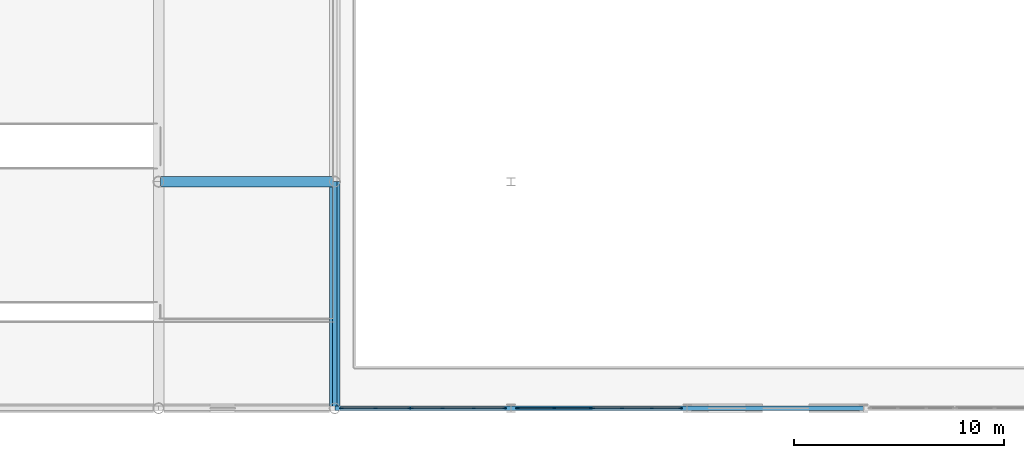
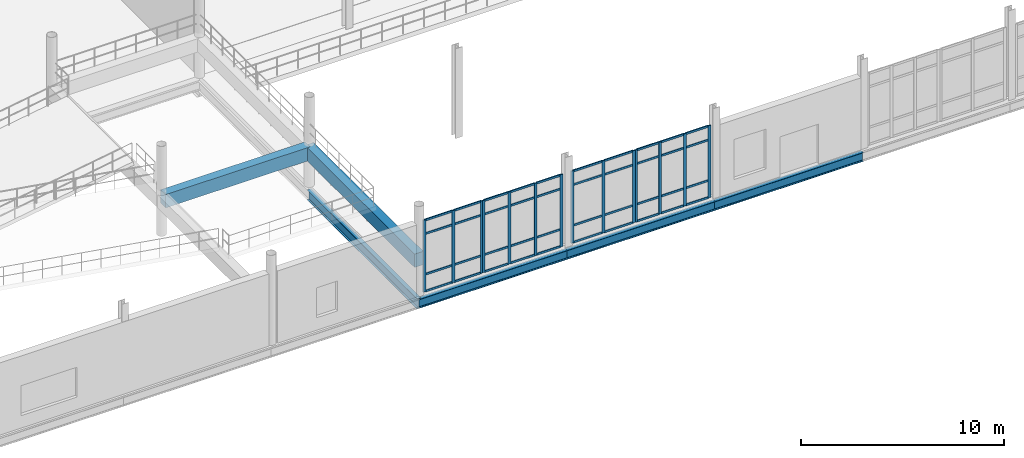
# One storey, part 25 of 111: 54 members, 6 beams, 4 elements without a shape of their own.
"""IFC4 building model written with IfcOpenShell, lengths in metres."""

from ifc_helpers import new_model, si_unit, direction, frame, origin, origin_2d, place, context, subcontext, project, spatial, rectangle, i_section, extrude, material, layer, layer_set, material_profile, profile_set, type_object, element, aggregate, save


model = new_model("IFC4")

# Units and contexts
model_context = context("Model", 3, precision=1e-05, world=origin(), true_north=direction((0.0, 1.0)))
body_context = subcontext(model_context, "Body", "Model", "MODEL_VIEW")
ifc_project = project(units=[si_unit("LENGTHUNIT", "METRE"), si_unit("AREAUNIT", "SQUARE_METRE"), si_unit("VOLUMEUNIT", "CUBIC_METRE"), si_unit("PLANEANGLEUNIT", "RADIAN"), si_unit("MASSUNIT", "GRAM", prefix="KILO"), si_unit("THERMODYNAMICTEMPERATUREUNIT", "KELVIN"), si_unit("POWERUNIT", "WATT")], contexts=[model_context])

# Site, building, storey
site_placement = place(None, origin())
site = spatial("IfcSite", under=ifc_project, at=site_placement, CompositionType="ELEMENT")
building_placement = place(site_placement, origin())
building = spatial("IfcBuilding", under=site, at=building_placement, Name="Tembeka Court Mobility Hub", CompositionType="ELEMENT")
storey_placement = place(building_placement, origin())
storey = spatial("IfcBuildingStorey", under=building, at=storey_placement, Name="L00", CompositionType="ELEMENT", Elevation=0.0)

# Beams
ifc_material_1 = material(Name="Concrete C40/50", Category="concrete")
ifc_material_profile_1 = material_profile(ifc_material_1, rectangle(XDim=0.5, YDim=0.800048828125, at=origin_2d()), Name="RC-BM 500x800")
ifc_profile_set_1 = profile_set([ifc_material_profile_1], Name="Concrete C40/50")
beam_type_1 = type_object("IfcBeamType", Name="BM-B05", PredefinedType="BEAM", material=ifc_profile_set_1)
beam_1_placement = place(storey_placement, frame((33.695068359375, 10.800048828125, 2.050048828125), z_axis=(1.0, 0.0, 0.0), x_axis=(0.0, 1.0, 0.0)))
element("IfcBeam", 1, at=beam_1_placement, inside=storey, type_object=beam_type_1, Name="Car park vehicle ramp South R2 L00 half-landing tie beam EX2", PredefinedType="BEAM", context=body_context, shape_type="SweptSolid", body=[
    extrude(rectangle(XDim=0.5, YDim=0.800048828125, at=origin_2d()), origin(), (0.0, 0.0, 1.0), 8.2099609375),
])
beam_2_placement = place(storey_placement, frame((42.0, 0.0, 2.050048828125), z_axis=(0.0, 1.0, 0.0), x_axis=(-1.0, 0.0, 0.0)))
element("IfcBeam", 2, at=beam_2_placement, inside=storey, type_object=beam_type_1, Name="Car park vehicle ramp South R2 L00 half-landing beam EE1", PredefinedType="BEAM", context=body_context, shape_type="SweptSolid", body=[
    extrude(rectangle(XDim=0.5, YDim=0.800048828125, at=origin_2d()), origin(), (0.0, 0.0, 1.0), 10.800048828125),
])
ifc_material_2 = material(Name="Steel S355", Category="steel")
ifc_material_profile_2 = material_profile(ifc_material_2, i_section(OverallWidth=0.22900390625, OverallDepth=0.612060546875, WebThickness=0.011962890625, FlangeThickness=0.01953125, FilletRadius=0.0126953125, at=origin_2d()), Name="UKB 610x229x125")
ifc_profile_set_2 = profile_set([ifc_material_profile_2], Name="Steel S355")
beam_type_2 = type_object("IfcBeamType", Name="BM-G02", PredefinedType="USERDEFINED", material=ifc_profile_set_2)
beam_3_placement = place(storey_placement, frame((42.0, 0.0, -0.5859375), z_axis=(0.0, 1.0, 0.0), x_axis=(-1.0, 0.0, 0.0)))
element("IfcBeam", 3, at=beam_3_placement, inside=storey, type_object=beam_type_2, Name="Beam G02 (BM-L00-Y0210)", ObjectType="GIRDER", PredefinedType="USERDEFINED", context=body_context, shape_type="SweptSolid", body=[
    extrude(i_section(OverallWidth=0.22900390625, OverallDepth=0.612060546875, WebThickness=0.011962890625, FlangeThickness=0.01953125, FilletRadius=0.0126953125, at=origin_2d()), origin(), (0.0, 0.0, 1.0), 10.800048828125),
])
ifc_material_profile_3 = material_profile(ifc_material_2, i_section(OverallWidth=0.2099609375, OverallDepth=0.537109375, WebThickness=0.0107421875, FlangeThickness=0.017333984375, FilletRadius=0.0126953125, at=origin_2d()), Name="UKB 533x210x101")
ifc_profile_set_3 = profile_set([ifc_material_profile_3], Name="Steel S355")
beam_type_3 = type_object("IfcBeamType", Name="BM-G03", PredefinedType="USERDEFINED", material=ifc_profile_set_3)
beam_4_placement = place(storey_placement, frame((42.0, 0.0, -0.548583984375), z_axis=(1.0, 0.0, 0.0), x_axis=(0.0, 1.0, 0.0)))
element("IfcBeam", 4, at=beam_4_placement, inside=storey, type_object=beam_type_3, Name="Beam G03 (BM-L00-X0005)", ObjectType="GIRDER", PredefinedType="USERDEFINED", context=body_context, shape_type="SweptSolid", body=[
    extrude(i_section(OverallWidth=0.2099609375, OverallDepth=0.537109375, WebThickness=0.0107421875, FlangeThickness=0.017333984375, FilletRadius=0.0126953125, at=origin_2d()), origin(), (0.0, 0.0, 1.0), 8.39990234375),
])
beam_5_placement = place(storey_placement, frame((50.39990234375, 0.0, -0.548583984375), z_axis=(1.0, 0.0, 0.0), x_axis=(0.0, 1.0, 0.0)))
element("IfcBeam", 5, at=beam_5_placement, inside=storey, type_object=beam_type_3, Name="Beam G03 (BM-L00-X0006)", ObjectType="GIRDER", PredefinedType="USERDEFINED", context=body_context, shape_type="SweptSolid", body=[
    extrude(i_section(OverallWidth=0.2099609375, OverallDepth=0.537109375, WebThickness=0.0107421875, FlangeThickness=0.017333984375, FilletRadius=0.0126953125, at=origin_2d()), origin(), (0.0, 0.0, 1.0), 8.400146484375),
])
beam_6_placement = place(storey_placement, frame((58.800048828125, 0.0, -0.548583984375), z_axis=(1.0, 0.0, 0.0), x_axis=(0.0, 1.0, 0.0)))
element("IfcBeam", 6, at=beam_6_placement, inside=storey, type_object=beam_type_3, Name="Beam G03 (BM-L00-X0007)", ObjectType="GIRDER", PredefinedType="USERDEFINED", context=body_context, shape_type="SweptSolid", body=[
    extrude(i_section(OverallWidth=0.2099609375, OverallDepth=0.537109375, WebThickness=0.0107421875, FlangeThickness=0.017333984375, FilletRadius=0.0126953125, at=origin_2d()), origin(), (0.0, 0.0, 1.0), 8.39990234375),
])

# Curtain wall, members
ifc_material_3 = material(Name="Anodised aluminium 6063-T6", Category="aluminium")
ifc_layer_1 = layer(ifc_material_3, 0.159912109375)
ifc_layer_set_1 = layer_set([ifc_layer_1], Name="Anodised aluminium 6063-T6")
curtain_wall_type_1 = type_object("IfcCurtainWallType", Name="CW-SYS02", PredefinedType="USERDEFINED", material=ifc_layer_set_1)
curtain_wall_1_placement = place(storey_placement, origin())
curtain_wall_1 = element("IfcCurtainWall", 7, at=curtain_wall_1_placement, inside=storey, type_object=curtain_wall_type_1, Name="Unitised curtain wall CW02 (CW-L00-002)", ObjectType="UNITISED GLAZING", PredefinedType="USERDEFINED")
ifc_material_profile_4 = material_profile(ifc_material_3, rectangle(XDim=0.06494140625, YDim=0.159912109375, at=origin_2d()), Name="ALU-MUL 65x160")
ifc_profile_set_4 = profile_set([ifc_material_profile_4], Name="Anodised aluminium 6063-T6")
member_type_1 = type_object("IfcMemberType", Name="CW-MUL01", PredefinedType="MULLION", material=ifc_profile_set_4)
member_1_placement = place(storey_placement, frame((42.3125, 0.0, 0.0), z_axis=(0.0, 0.0, 1.0), x_axis=(0.0, 1.0, 0.0)))
member_1 = element("IfcMember", 8, at=member_1_placement, type_object=member_type_1, Name="CW02 mullion 1", PredefinedType="MULLION", context=body_context, shape_type="SweptSolid", body=[
    extrude(rectangle(XDim=0.06494140625, YDim=0.159912109375, at=origin_2d()), origin(), (0.0, 0.0, 1.0), 4.3349609375),
])
member_2_placement = place(storey_placement, frame((43.93603515625, 0.0, 0.0), z_axis=(0.0, 0.0, 1.0), x_axis=(0.0, 1.0, 0.0)))
member_2 = element("IfcMember", 9, at=member_2_placement, type_object=member_type_1, Name="CW02 mullion 2", PredefinedType="MULLION", context=body_context, shape_type="SweptSolid", body=[
    extrude(rectangle(XDim=0.06494140625, YDim=0.159912109375, at=origin_2d()), origin(), (0.0, 0.0, 1.0), 4.3349609375),
])
member_3_placement = place(storey_placement, frame((45.5595703125, 0.0, 0.0), z_axis=(0.0, 0.0, 1.0), x_axis=(0.0, 1.0, 0.0)))
member_3 = element("IfcMember", 10, at=member_3_placement, type_object=member_type_1, Name="CW02 mullion 3", PredefinedType="MULLION", context=body_context, shape_type="SweptSolid", body=[
    extrude(rectangle(XDim=0.06494140625, YDim=0.159912109375, at=origin_2d()), origin(), (0.0, 0.0, 1.0), 4.3349609375),
])

ifc_layer_2 = layer(ifc_material_3, 0.159912109375)
ifc_layer_set_2 = layer_set([ifc_layer_2], Name="Anodised aluminium 6063-T6")
curtain_wall_type_2 = type_object("IfcCurtainWallType", Name="CW-SYS03", PredefinedType="USERDEFINED", material=ifc_layer_set_2)
curtain_wall_2_placement = place(storey_placement, origin())
curtain_wall_2 = element("IfcCurtainWall", 11, at=curtain_wall_2_placement, inside=storey, type_object=curtain_wall_type_2, Name="Unitised curtain wall CW03 (CW-L00-003)", ObjectType="UNITISED GLAZING", PredefinedType="USERDEFINED")
member_4_placement = place(storey_placement, frame((45.66455078125, 0.0, 0.0), z_axis=(0.0, 0.0, 1.0), x_axis=(0.0, 1.0, 0.0)))
member_4 = element("IfcMember", 12, at=member_4_placement, type_object=member_type_1, Name="CW03 mullion 1", PredefinedType="MULLION", context=body_context, shape_type="SweptSolid", body=[
    extrude(rectangle(XDim=0.06494140625, YDim=0.159912109375, at=origin_2d()), origin(), (0.0, 0.0, 1.0), 4.3349609375),
])
member_5_placement = place(storey_placement, frame((47.1279296875, 0.0, 0.0), z_axis=(0.0, 0.0, 1.0), x_axis=(0.0, 1.0, 0.0)))
member_5 = element("IfcMember", 13, at=member_5_placement, type_object=member_type_1, Name="CW03 mullion 2", PredefinedType="MULLION", context=body_context, shape_type="SweptSolid", body=[
    extrude(rectangle(XDim=0.06494140625, YDim=0.159912109375, at=origin_2d()), origin(), (0.0, 0.0, 1.0), 4.3349609375),
])
member_6_placement = place(storey_placement, frame((48.6240234375, 0.0, 0.0), z_axis=(0.0, 0.0, 1.0), x_axis=(0.0, 1.0, 0.0)))
member_6 = element("IfcMember", 14, at=member_6_placement, type_object=member_type_1, Name="CW03 mullion 3", PredefinedType="MULLION", context=body_context, shape_type="SweptSolid", body=[
    extrude(rectangle(XDim=0.06494140625, YDim=0.159912109375, at=origin_2d()), origin(), (0.0, 0.0, 1.0), 4.3349609375),
])
member_7_placement = place(storey_placement, frame((50.08740234375, 0.0, 0.0), z_axis=(0.0, 0.0, 1.0), x_axis=(0.0, 1.0, 0.0)))
member_7 = element("IfcMember", 15, at=member_7_placement, type_object=member_type_1, Name="CW03 mullion 4", PredefinedType="MULLION", context=body_context, shape_type="SweptSolid", body=[
    extrude(rectangle(XDim=0.06494140625, YDim=0.159912109375, at=origin_2d()), origin(), (0.0, 0.0, 1.0), 4.3349609375),
])

ifc_layer_3 = layer(ifc_material_3, 0.159912109375)
ifc_layer_set_3 = layer_set([ifc_layer_3], Name="Anodised aluminium 6063-T6")
curtain_wall_type_3 = type_object("IfcCurtainWallType", Name="CW-SYS04", PredefinedType="USERDEFINED", material=ifc_layer_set_3)
curtain_wall_3_placement = place(storey_placement, origin())
curtain_wall_3 = element("IfcCurtainWall", 16, at=curtain_wall_3_placement, inside=storey, type_object=curtain_wall_type_3, Name="Unitised curtain wall CW04 (CW-L00-004)", ObjectType="UNITISED GLAZING", PredefinedType="USERDEFINED")
member_8_placement = place(storey_placement, frame((50.71240234375, 0.0, 0.0), z_axis=(0.0, 0.0, 1.0), x_axis=(0.0, 1.0, 0.0)))
member_8 = element("IfcMember", 17, at=member_8_placement, type_object=member_type_1, Name="CW04 mullion 1", PredefinedType="MULLION", context=body_context, shape_type="SweptSolid", body=[
    extrude(rectangle(XDim=0.06494140625, YDim=0.159912109375, at=origin_2d()), origin(), (0.0, 0.0, 1.0), 4.3349609375),
])
member_9_placement = place(storey_placement, frame((52.4619140625, 0.0, 0.0), z_axis=(0.0, 0.0, 1.0), x_axis=(0.0, 1.0, 0.0)))
member_9 = element("IfcMember", 18, at=member_9_placement, type_object=member_type_1, Name="CW04 mullion 2", PredefinedType="MULLION", context=body_context, shape_type="SweptSolid", body=[
    extrude(rectangle(XDim=0.06494140625, YDim=0.159912109375, at=origin_2d()), origin(), (0.0, 0.0, 1.0), 4.3349609375),
])
member_10_placement = place(storey_placement, frame((54.21142578125, 0.0, 0.0), z_axis=(0.0, 0.0, 1.0), x_axis=(0.0, 1.0, 0.0)))
member_10 = element("IfcMember", 19, at=member_10_placement, type_object=member_type_1, Name="CW04 mullion 3", PredefinedType="MULLION", context=body_context, shape_type="SweptSolid", body=[
    extrude(rectangle(XDim=0.06494140625, YDim=0.159912109375, at=origin_2d()), origin(), (0.0, 0.0, 1.0), 4.3349609375),
])

ifc_layer_4 = layer(ifc_material_3, 0.159912109375)
ifc_layer_set_4 = layer_set([ifc_layer_4], Name="Anodised aluminium 6063-T6")
curtain_wall_type_4 = type_object("IfcCurtainWallType", Name="CW-SYS05", PredefinedType="USERDEFINED", material=ifc_layer_set_4)
curtain_wall_4_placement = place(storey_placement, origin())
curtain_wall_4 = element("IfcCurtainWall", 20, at=curtain_wall_4_placement, inside=storey, type_object=curtain_wall_type_4, Name="Unitised curtain wall CW05 (CW-L00-005)", ObjectType="UNITISED GLAZING", PredefinedType="USERDEFINED")
member_11_placement = place(storey_placement, frame((54.31640625, 0.0, 0.0), z_axis=(0.0, 0.0, 1.0), x_axis=(0.0, 1.0, 0.0)))
member_11 = element("IfcMember", 21, at=member_11_placement, type_object=member_type_1, Name="CW05 mullion 1", PredefinedType="MULLION", context=body_context, shape_type="SweptSolid", body=[
    extrude(rectangle(XDim=0.06494140625, YDim=0.159912109375, at=origin_2d()), origin(), (0.0, 0.0, 1.0), 4.3349609375),
])
member_12_placement = place(storey_placement, frame((55.696044921875, 0.0, 0.0), z_axis=(0.0, 0.0, 1.0), x_axis=(0.0, 1.0, 0.0)))
member_12 = element("IfcMember", 22, at=member_12_placement, type_object=member_type_1, Name="CW05 mullion 2", PredefinedType="MULLION", context=body_context, shape_type="SweptSolid", body=[
    extrude(rectangle(XDim=0.06494140625, YDim=0.159912109375, at=origin_2d()), origin(), (0.0, 0.0, 1.0), 4.3349609375),
])
member_13_placement = place(storey_placement, frame((57.10791015625, 0.0, 0.0), z_axis=(0.0, 0.0, 1.0), x_axis=(0.0, 1.0, 0.0)))
member_13 = element("IfcMember", 23, at=member_13_placement, type_object=member_type_1, Name="CW05 mullion 3", PredefinedType="MULLION", context=body_context, shape_type="SweptSolid", body=[
    extrude(rectangle(XDim=0.06494140625, YDim=0.159912109375, at=origin_2d()), origin(), (0.0, 0.0, 1.0), 4.3349609375),
])
member_14_placement = place(storey_placement, frame((58.487548828125, 0.0, 0.0), z_axis=(0.0, 0.0, 1.0), x_axis=(0.0, 1.0, 0.0)))
member_14 = element("IfcMember", 24, at=member_14_placement, type_object=member_type_1, Name="CW05 mullion 4", PredefinedType="MULLION", context=body_context, shape_type="SweptSolid", body=[
    extrude(rectangle(XDim=0.06494140625, YDim=0.159912109375, at=origin_2d()), origin(), (0.0, 0.0, 1.0), 4.3349609375),
])

# Member
ifc_material_profile_5 = material_profile(ifc_material_3, rectangle(XDim=0.06494140625, YDim=0.1201171875, at=origin_2d()), Name="ALU-TRN 65x120")
ifc_profile_set_5 = profile_set([ifc_material_profile_5], Name="Anodised aluminium 6063-T6")
member_type_2 = type_object("IfcMemberType", Name="CW-TRN01", PredefinedType="USERDEFINED", material=ifc_profile_set_5)
member_15_placement = place(storey_placement, frame((42.344970703125, 0.0, 0.032470703125), z_axis=(1.0, 0.0, 0.0), x_axis=(0.0, 1.0, 0.0)))
member_15 = element("IfcMember", 25, at=member_15_placement, type_object=member_type_2, Name="CW02 transom 1.1", ObjectType="TRANSOM", PredefinedType="USERDEFINED", context=body_context, shape_type="SweptSolid", body=[
    extrude(rectangle(XDim=0.06494140625, YDim=0.1201171875, at=origin_2d()), origin(), (0.0, 0.0, 1.0), 1.55859375),
])

member_16_placement = place(storey_placement, frame((42.344970703125, 0.0, 1.050048828125), z_axis=(1.0, 0.0, 0.0), x_axis=(0.0, 1.0, 0.0)))
member_16 = element("IfcMember", 26, at=member_16_placement, type_object=member_type_2, Name="CW02 transom 1.2", ObjectType="TRANSOM", PredefinedType="USERDEFINED", context=body_context, shape_type="SweptSolid", body=[
    extrude(rectangle(XDim=0.06494140625, YDim=0.1201171875, at=origin_2d()), origin(), (0.0, 0.0, 1.0), 1.55859375),
])

member_17_placement = place(storey_placement, frame((42.344970703125, 0.0, 3.485107421875), z_axis=(1.0, 0.0, 0.0), x_axis=(0.0, 1.0, 0.0)))
member_17 = element("IfcMember", 27, at=member_17_placement, type_object=member_type_2, Name="CW02 transom 1.3", ObjectType="TRANSOM", PredefinedType="USERDEFINED", context=body_context, shape_type="SweptSolid", body=[
    extrude(rectangle(XDim=0.06494140625, YDim=0.1201171875, at=origin_2d()), origin(), (0.0, 0.0, 1.0), 1.55859375),
])

member_18_placement = place(storey_placement, frame((42.344970703125, 0.0, 4.302490234375), z_axis=(1.0, 0.0, 0.0), x_axis=(0.0, 1.0, 0.0)))
member_18 = element("IfcMember", 28, at=member_18_placement, type_object=member_type_2, Name="CW02 transom 1.4", ObjectType="TRANSOM", PredefinedType="USERDEFINED", context=body_context, shape_type="SweptSolid", body=[
    extrude(rectangle(XDim=0.06494140625, YDim=0.1201171875, at=origin_2d()), origin(), (0.0, 0.0, 1.0), 1.55859375),
])

member_19_placement = place(storey_placement, frame((43.968505859375, 0.0, 0.032470703125), z_axis=(1.0, 0.0, 0.0), x_axis=(0.0, 1.0, 0.0)))
member_19 = element("IfcMember", 29, at=member_19_placement, type_object=member_type_2, Name="CW02 transom 2.1", ObjectType="TRANSOM", PredefinedType="USERDEFINED", context=body_context, shape_type="SweptSolid", body=[
    extrude(rectangle(XDim=0.06494140625, YDim=0.1201171875, at=origin_2d()), origin(), (0.0, 0.0, 1.0), 1.55859375),
])

member_20_placement = place(storey_placement, frame((43.968505859375, 0.0, 1.050048828125), z_axis=(1.0, 0.0, 0.0), x_axis=(0.0, 1.0, 0.0)))
member_20 = element("IfcMember", 30, at=member_20_placement, type_object=member_type_2, Name="CW02 transom 2.2", ObjectType="TRANSOM", PredefinedType="USERDEFINED", context=body_context, shape_type="SweptSolid", body=[
    extrude(rectangle(XDim=0.06494140625, YDim=0.1201171875, at=origin_2d()), origin(), (0.0, 0.0, 1.0), 1.55859375),
])

member_21_placement = place(storey_placement, frame((43.968505859375, 0.0, 3.485107421875), z_axis=(1.0, 0.0, 0.0), x_axis=(0.0, 1.0, 0.0)))
member_21 = element("IfcMember", 31, at=member_21_placement, type_object=member_type_2, Name="CW02 transom 2.3", ObjectType="TRANSOM", PredefinedType="USERDEFINED", context=body_context, shape_type="SweptSolid", body=[
    extrude(rectangle(XDim=0.06494140625, YDim=0.1201171875, at=origin_2d()), origin(), (0.0, 0.0, 1.0), 1.55859375),
])

member_22_placement = place(storey_placement, frame((43.968505859375, 0.0, 4.302490234375), z_axis=(1.0, 0.0, 0.0), x_axis=(0.0, 1.0, 0.0)))
member_22 = element("IfcMember", 32, at=member_22_placement, type_object=member_type_2, Name="CW02 transom 2.4", ObjectType="TRANSOM", PredefinedType="USERDEFINED", context=body_context, shape_type="SweptSolid", body=[
    extrude(rectangle(XDim=0.06494140625, YDim=0.1201171875, at=origin_2d()), origin(), (0.0, 0.0, 1.0), 1.55859375),
])

aggregate(curtain_wall_1, [member_1, member_2, member_3, member_15, member_16, member_17, member_18, member_19, member_20, member_21, member_22])

member_23_placement = place(storey_placement, frame((45.697021484375, 0.0, 0.032470703125), z_axis=(1.0, 0.0, 0.0), x_axis=(0.0, 1.0, 0.0)))
member_23 = element("IfcMember", 33, at=member_23_placement, type_object=member_type_2, Name="CW03 transom 1.1", ObjectType="TRANSOM", PredefinedType="USERDEFINED", context=body_context, shape_type="SweptSolid", body=[
    extrude(rectangle(XDim=0.06494140625, YDim=0.1201171875, at=origin_2d()), origin(), (0.0, 0.0, 1.0), 1.3984375),
])

member_24_placement = place(storey_placement, frame((45.697021484375, 0.0, 1.050048828125), z_axis=(1.0, 0.0, 0.0), x_axis=(0.0, 1.0, 0.0)))
member_24 = element("IfcMember", 34, at=member_24_placement, type_object=member_type_2, Name="CW03 transom 1.2", ObjectType="TRANSOM", PredefinedType="USERDEFINED", context=body_context, shape_type="SweptSolid", body=[
    extrude(rectangle(XDim=0.06494140625, YDim=0.1201171875, at=origin_2d()), origin(), (0.0, 0.0, 1.0), 1.3984375),
])

member_25_placement = place(storey_placement, frame((45.697021484375, 0.0, 3.485107421875), z_axis=(1.0, 0.0, 0.0), x_axis=(0.0, 1.0, 0.0)))
member_25 = element("IfcMember", 35, at=member_25_placement, type_object=member_type_2, Name="CW03 transom 1.3", ObjectType="TRANSOM", PredefinedType="USERDEFINED", context=body_context, shape_type="SweptSolid", body=[
    extrude(rectangle(XDim=0.06494140625, YDim=0.1201171875, at=origin_2d()), origin(), (0.0, 0.0, 1.0), 1.3984375),
])

member_26_placement = place(storey_placement, frame((45.697021484375, 0.0, 4.302490234375), z_axis=(1.0, 0.0, 0.0), x_axis=(0.0, 1.0, 0.0)))
member_26 = element("IfcMember", 36, at=member_26_placement, type_object=member_type_2, Name="CW03 transom 1.4", ObjectType="TRANSOM", PredefinedType="USERDEFINED", context=body_context, shape_type="SweptSolid", body=[
    extrude(rectangle(XDim=0.06494140625, YDim=0.1201171875, at=origin_2d()), origin(), (0.0, 0.0, 1.0), 1.3984375),
])

member_27_placement = place(storey_placement, frame((47.160400390625, 0.0, 0.032470703125), z_axis=(1.0, 0.0, 0.0), x_axis=(0.0, 1.0, 0.0)))
member_27 = element("IfcMember", 37, at=member_27_placement, type_object=member_type_2, Name="CW03 transom 2.1", ObjectType="TRANSOM", PredefinedType="USERDEFINED", context=body_context, shape_type="SweptSolid", body=[
    extrude(rectangle(XDim=0.06494140625, YDim=0.1201171875, at=origin_2d()), origin(), (0.0, 0.0, 1.0), 1.43115234375),
])

member_28_placement = place(storey_placement, frame((47.160400390625, 0.0, 1.050048828125), z_axis=(1.0, 0.0, 0.0), x_axis=(0.0, 1.0, 0.0)))
member_28 = element("IfcMember", 38, at=member_28_placement, type_object=member_type_2, Name="CW03 transom 2.2", ObjectType="TRANSOM", PredefinedType="USERDEFINED", context=body_context, shape_type="SweptSolid", body=[
    extrude(rectangle(XDim=0.06494140625, YDim=0.1201171875, at=origin_2d()), origin(), (0.0, 0.0, 1.0), 1.43115234375),
])

member_29_placement = place(storey_placement, frame((47.160400390625, 0.0, 3.485107421875), z_axis=(1.0, 0.0, 0.0), x_axis=(0.0, 1.0, 0.0)))
member_29 = element("IfcMember", 39, at=member_29_placement, type_object=member_type_2, Name="CW03 transom 2.3", ObjectType="TRANSOM", PredefinedType="USERDEFINED", context=body_context, shape_type="SweptSolid", body=[
    extrude(rectangle(XDim=0.06494140625, YDim=0.1201171875, at=origin_2d()), origin(), (0.0, 0.0, 1.0), 1.43115234375),
])

member_30_placement = place(storey_placement, frame((47.160400390625, 0.0, 4.302490234375), z_axis=(1.0, 0.0, 0.0), x_axis=(0.0, 1.0, 0.0)))
member_30 = element("IfcMember", 40, at=member_30_placement, type_object=member_type_2, Name="CW03 transom 2.4", ObjectType="TRANSOM", PredefinedType="USERDEFINED", context=body_context, shape_type="SweptSolid", body=[
    extrude(rectangle(XDim=0.06494140625, YDim=0.1201171875, at=origin_2d()), origin(), (0.0, 0.0, 1.0), 1.43115234375),
])

member_31_placement = place(storey_placement, frame((48.656494140625, 0.0, 0.032470703125), z_axis=(1.0, 0.0, 0.0), x_axis=(0.0, 1.0, 0.0)))
member_31 = element("IfcMember", 41, at=member_31_placement, type_object=member_type_2, Name="CW03 transom 3.1", ObjectType="TRANSOM", PredefinedType="USERDEFINED", context=body_context, shape_type="SweptSolid", body=[
    extrude(rectangle(XDim=0.06494140625, YDim=0.1201171875, at=origin_2d()), origin(), (0.0, 0.0, 1.0), 1.3984375),
])

member_32_placement = place(storey_placement, frame((48.656494140625, 0.0, 1.050048828125), z_axis=(1.0, 0.0, 0.0), x_axis=(0.0, 1.0, 0.0)))
member_32 = element("IfcMember", 42, at=member_32_placement, type_object=member_type_2, Name="CW03 transom 3.2", ObjectType="TRANSOM", PredefinedType="USERDEFINED", context=body_context, shape_type="SweptSolid", body=[
    extrude(rectangle(XDim=0.06494140625, YDim=0.1201171875, at=origin_2d()), origin(), (0.0, 0.0, 1.0), 1.3984375),
])

member_33_placement = place(storey_placement, frame((48.656494140625, 0.0, 3.485107421875), z_axis=(1.0, 0.0, 0.0), x_axis=(0.0, 1.0, 0.0)))
member_33 = element("IfcMember", 43, at=member_33_placement, type_object=member_type_2, Name="CW03 transom 3.3", ObjectType="TRANSOM", PredefinedType="USERDEFINED", context=body_context, shape_type="SweptSolid", body=[
    extrude(rectangle(XDim=0.06494140625, YDim=0.1201171875, at=origin_2d()), origin(), (0.0, 0.0, 1.0), 1.3984375),
])

member_34_placement = place(storey_placement, frame((48.656494140625, 0.0, 4.302490234375), z_axis=(1.0, 0.0, 0.0), x_axis=(0.0, 1.0, 0.0)))
member_34 = element("IfcMember", 44, at=member_34_placement, type_object=member_type_2, Name="CW03 transom 3.4", ObjectType="TRANSOM", PredefinedType="USERDEFINED", context=body_context, shape_type="SweptSolid", body=[
    extrude(rectangle(XDim=0.06494140625, YDim=0.1201171875, at=origin_2d()), origin(), (0.0, 0.0, 1.0), 1.3984375),
])

aggregate(curtain_wall_2, [member_4, member_5, member_6, member_7, member_23, member_24, member_25, member_26, member_27, member_28, member_29, member_30, member_31, member_32, member_33, member_34])

member_35_placement = place(storey_placement, frame((50.7451171875, 0.0, 0.032470703125), z_axis=(1.0, 0.0, 0.0), x_axis=(0.0, 1.0, 0.0)))
member_35 = element("IfcMember", 45, at=member_35_placement, type_object=member_type_2, Name="CW04 transom 1.1", ObjectType="TRANSOM", PredefinedType="USERDEFINED", context=body_context, shape_type="SweptSolid", body=[
    extrude(rectangle(XDim=0.06494140625, YDim=0.1201171875, at=origin_2d()), origin(), (0.0, 0.0, 1.0), 1.684326171875),
])

member_36_placement = place(storey_placement, frame((50.7451171875, 0.0, 1.050048828125), z_axis=(1.0, 0.0, 0.0), x_axis=(0.0, 1.0, 0.0)))
member_36 = element("IfcMember", 46, at=member_36_placement, type_object=member_type_2, Name="CW04 transom 1.2", ObjectType="TRANSOM", PredefinedType="USERDEFINED", context=body_context, shape_type="SweptSolid", body=[
    extrude(rectangle(XDim=0.06494140625, YDim=0.1201171875, at=origin_2d()), origin(), (0.0, 0.0, 1.0), 1.684326171875),
])

member_37_placement = place(storey_placement, frame((50.7451171875, 0.0, 3.485107421875), z_axis=(1.0, 0.0, 0.0), x_axis=(0.0, 1.0, 0.0)))
member_37 = element("IfcMember", 47, at=member_37_placement, type_object=member_type_2, Name="CW04 transom 1.3", ObjectType="TRANSOM", PredefinedType="USERDEFINED", context=body_context, shape_type="SweptSolid", body=[
    extrude(rectangle(XDim=0.06494140625, YDim=0.1201171875, at=origin_2d()), origin(), (0.0, 0.0, 1.0), 1.684326171875),
])

member_38_placement = place(storey_placement, frame((50.7451171875, 0.0, 4.302490234375), z_axis=(1.0, 0.0, 0.0), x_axis=(0.0, 1.0, 0.0)))
member_38 = element("IfcMember", 48, at=member_38_placement, type_object=member_type_2, Name="CW04 transom 1.4", ObjectType="TRANSOM", PredefinedType="USERDEFINED", context=body_context, shape_type="SweptSolid", body=[
    extrude(rectangle(XDim=0.06494140625, YDim=0.1201171875, at=origin_2d()), origin(), (0.0, 0.0, 1.0), 1.684326171875),
])

member_39_placement = place(storey_placement, frame((52.494384765625, 0.0, 0.032470703125), z_axis=(1.0, 0.0, 0.0), x_axis=(0.0, 1.0, 0.0)))
member_39 = element("IfcMember", 49, at=member_39_placement, type_object=member_type_2, Name="CW04 transom 2.1", ObjectType="TRANSOM", PredefinedType="USERDEFINED", context=body_context, shape_type="SweptSolid", body=[
    extrude(rectangle(XDim=0.06494140625, YDim=0.1201171875, at=origin_2d()), origin(), (0.0, 0.0, 1.0), 1.6845703125),
])

member_40_placement = place(storey_placement, frame((52.494384765625, 0.0, 1.050048828125), z_axis=(1.0, 0.0, 0.0), x_axis=(0.0, 1.0, 0.0)))
member_40 = element("IfcMember", 50, at=member_40_placement, type_object=member_type_2, Name="CW04 transom 2.2", ObjectType="TRANSOM", PredefinedType="USERDEFINED", context=body_context, shape_type="SweptSolid", body=[
    extrude(rectangle(XDim=0.06494140625, YDim=0.1201171875, at=origin_2d()), origin(), (0.0, 0.0, 1.0), 1.6845703125),
])

member_41_placement = place(storey_placement, frame((52.494384765625, 0.0, 3.485107421875), z_axis=(1.0, 0.0, 0.0), x_axis=(0.0, 1.0, 0.0)))
member_41 = element("IfcMember", 51, at=member_41_placement, type_object=member_type_2, Name="CW04 transom 2.3", ObjectType="TRANSOM", PredefinedType="USERDEFINED", context=body_context, shape_type="SweptSolid", body=[
    extrude(rectangle(XDim=0.06494140625, YDim=0.1201171875, at=origin_2d()), origin(), (0.0, 0.0, 1.0), 1.6845703125),
])

member_42_placement = place(storey_placement, frame((52.494384765625, 0.0, 4.302490234375), z_axis=(1.0, 0.0, 0.0), x_axis=(0.0, 1.0, 0.0)))
member_42 = element("IfcMember", 52, at=member_42_placement, type_object=member_type_2, Name="CW04 transom 2.4", ObjectType="TRANSOM", PredefinedType="USERDEFINED", context=body_context, shape_type="SweptSolid", body=[
    extrude(rectangle(XDim=0.06494140625, YDim=0.1201171875, at=origin_2d()), origin(), (0.0, 0.0, 1.0), 1.6845703125),
])

aggregate(curtain_wall_3, [member_8, member_9, member_10, member_35, member_36, member_37, member_38, member_39, member_40, member_41, member_42])

member_43_placement = place(storey_placement, frame((54.34912109375, 0.0, 0.032470703125), z_axis=(1.0, 0.0, 0.0), x_axis=(0.0, 1.0, 0.0)))
member_43 = element("IfcMember", 53, at=member_43_placement, type_object=member_type_2, Name="CW05 transom 1.1", ObjectType="TRANSOM", PredefinedType="USERDEFINED", context=body_context, shape_type="SweptSolid", body=[
    extrude(rectangle(XDim=0.06494140625, YDim=0.1201171875, at=origin_2d()), origin(), (0.0, 0.0, 1.0), 1.314453125),
])

member_44_placement = place(storey_placement, frame((54.34912109375, 0.0, 1.050048828125), z_axis=(1.0, 0.0, 0.0), x_axis=(0.0, 1.0, 0.0)))
member_44 = element("IfcMember", 54, at=member_44_placement, type_object=member_type_2, Name="CW05 transom 1.2", ObjectType="TRANSOM", PredefinedType="USERDEFINED", context=body_context, shape_type="SweptSolid", body=[
    extrude(rectangle(XDim=0.06494140625, YDim=0.1201171875, at=origin_2d()), origin(), (0.0, 0.0, 1.0), 1.314453125),
])

member_45_placement = place(storey_placement, frame((54.34912109375, 0.0, 3.485107421875), z_axis=(1.0, 0.0, 0.0), x_axis=(0.0, 1.0, 0.0)))
member_45 = element("IfcMember", 55, at=member_45_placement, type_object=member_type_2, Name="CW05 transom 1.3", ObjectType="TRANSOM", PredefinedType="USERDEFINED", context=body_context, shape_type="SweptSolid", body=[
    extrude(rectangle(XDim=0.06494140625, YDim=0.1201171875, at=origin_2d()), origin(), (0.0, 0.0, 1.0), 1.314453125),
])

member_46_placement = place(storey_placement, frame((54.34912109375, 0.0, 4.302490234375), z_axis=(1.0, 0.0, 0.0), x_axis=(0.0, 1.0, 0.0)))
member_46 = element("IfcMember", 56, at=member_46_placement, type_object=member_type_2, Name="CW05 transom 1.4", ObjectType="TRANSOM", PredefinedType="USERDEFINED", context=body_context, shape_type="SweptSolid", body=[
    extrude(rectangle(XDim=0.06494140625, YDim=0.1201171875, at=origin_2d()), origin(), (0.0, 0.0, 1.0), 1.314453125),
])

member_47_placement = place(storey_placement, frame((55.728515625, 0.0, 0.032470703125), z_axis=(1.0, 0.0, 0.0), x_axis=(0.0, 1.0, 0.0)))
member_47 = element("IfcMember", 57, at=member_47_placement, type_object=member_type_2, Name="CW05 transom 2.1", ObjectType="TRANSOM", PredefinedType="USERDEFINED", context=body_context, shape_type="SweptSolid", body=[
    extrude(rectangle(XDim=0.06494140625, YDim=0.1201171875, at=origin_2d()), origin(), (0.0, 0.0, 1.0), 1.346923828125),
])

member_48_placement = place(storey_placement, frame((55.728515625, 0.0, 1.050048828125), z_axis=(1.0, 0.0, 0.0), x_axis=(0.0, 1.0, 0.0)))
member_48 = element("IfcMember", 58, at=member_48_placement, type_object=member_type_2, Name="CW05 transom 2.2", ObjectType="TRANSOM", PredefinedType="USERDEFINED", context=body_context, shape_type="SweptSolid", body=[
    extrude(rectangle(XDim=0.06494140625, YDim=0.1201171875, at=origin_2d()), origin(), (0.0, 0.0, 1.0), 1.346923828125),
])

member_49_placement = place(storey_placement, frame((55.728515625, 0.0, 3.485107421875), z_axis=(1.0, 0.0, 0.0), x_axis=(0.0, 1.0, 0.0)))
member_49 = element("IfcMember", 59, at=member_49_placement, type_object=member_type_2, Name="CW05 transom 2.3", ObjectType="TRANSOM", PredefinedType="USERDEFINED", context=body_context, shape_type="SweptSolid", body=[
    extrude(rectangle(XDim=0.06494140625, YDim=0.1201171875, at=origin_2d()), origin(), (0.0, 0.0, 1.0), 1.346923828125),
])

member_50_placement = place(storey_placement, frame((55.728515625, 0.0, 4.302490234375), z_axis=(1.0, 0.0, 0.0), x_axis=(0.0, 1.0, 0.0)))
member_50 = element("IfcMember", 60, at=member_50_placement, type_object=member_type_2, Name="CW05 transom 2.4", ObjectType="TRANSOM", PredefinedType="USERDEFINED", context=body_context, shape_type="SweptSolid", body=[
    extrude(rectangle(XDim=0.06494140625, YDim=0.1201171875, at=origin_2d()), origin(), (0.0, 0.0, 1.0), 1.346923828125),
])

member_51_placement = place(storey_placement, frame((57.140380859375, 0.0, 0.032470703125), z_axis=(1.0, 0.0, 0.0), x_axis=(0.0, 1.0, 0.0)))
member_51 = element("IfcMember", 61, at=member_51_placement, type_object=member_type_2, Name="CW05 transom 3.1", ObjectType="TRANSOM", PredefinedType="USERDEFINED", context=body_context, shape_type="SweptSolid", body=[
    extrude(rectangle(XDim=0.06494140625, YDim=0.1201171875, at=origin_2d()), origin(), (0.0, 0.0, 1.0), 1.314697265625),
])

member_52_placement = place(storey_placement, frame((57.140380859375, 0.0, 1.050048828125), z_axis=(1.0, 0.0, 0.0), x_axis=(0.0, 1.0, 0.0)))
member_52 = element("IfcMember", 62, at=member_52_placement, type_object=member_type_2, Name="CW05 transom 3.2", ObjectType="TRANSOM", PredefinedType="USERDEFINED", context=body_context, shape_type="SweptSolid", body=[
    extrude(rectangle(XDim=0.06494140625, YDim=0.1201171875, at=origin_2d()), origin(), (0.0, 0.0, 1.0), 1.314697265625),
])

member_53_placement = place(storey_placement, frame((57.140380859375, 0.0, 3.485107421875), z_axis=(1.0, 0.0, 0.0), x_axis=(0.0, 1.0, 0.0)))
member_53 = element("IfcMember", 63, at=member_53_placement, type_object=member_type_2, Name="CW05 transom 3.3", ObjectType="TRANSOM", PredefinedType="USERDEFINED", context=body_context, shape_type="SweptSolid", body=[
    extrude(rectangle(XDim=0.06494140625, YDim=0.1201171875, at=origin_2d()), origin(), (0.0, 0.0, 1.0), 1.314697265625),
])

member_54_placement = place(storey_placement, frame((57.140380859375, 0.0, 4.302490234375), z_axis=(1.0, 0.0, 0.0), x_axis=(0.0, 1.0, 0.0)))
member_54 = element("IfcMember", 64, at=member_54_placement, type_object=member_type_2, Name="CW05 transom 3.4", ObjectType="TRANSOM", PredefinedType="USERDEFINED", context=body_context, shape_type="SweptSolid", body=[
    extrude(rectangle(XDim=0.06494140625, YDim=0.1201171875, at=origin_2d()), origin(), (0.0, 0.0, 1.0), 1.314697265625),
])

aggregate(curtain_wall_4, [member_11, member_12, member_13, member_14, member_43, member_44, member_45, member_46, member_47, member_48, member_49, member_50, member_51, member_52, member_53, member_54])

save(model, "model.ifc")
